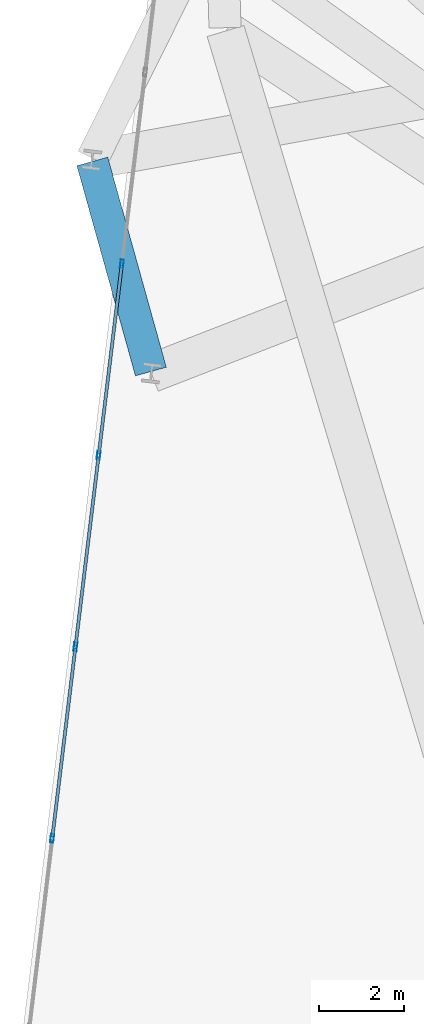
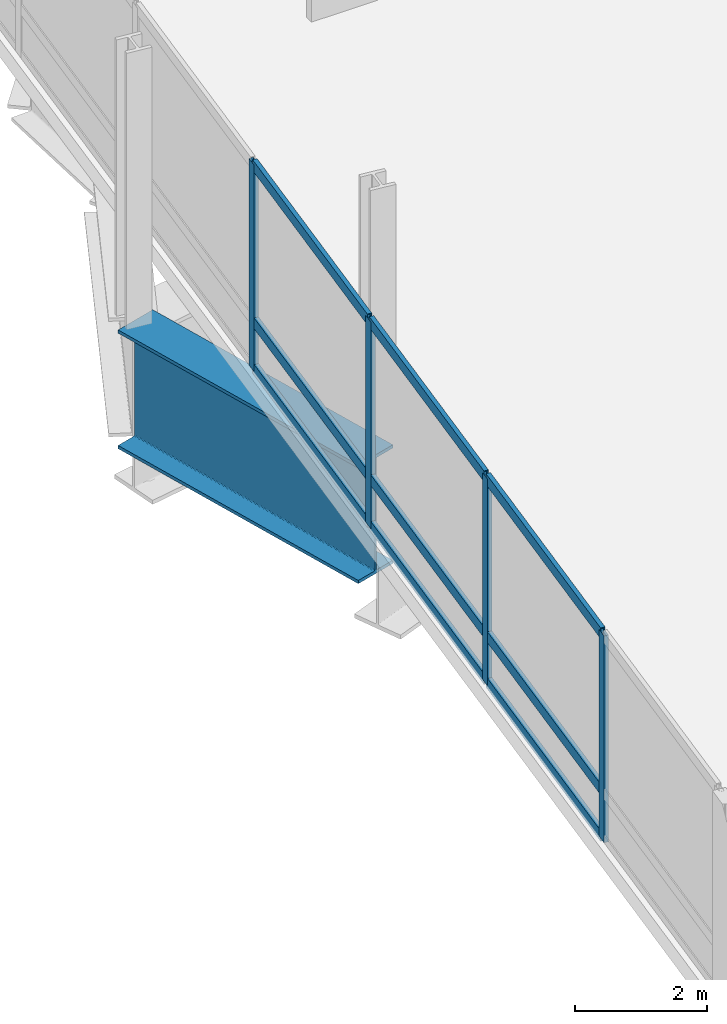
# One storey, part 4 of 22: 13 members, 1 beam, 1 element without a shape of its own.
"""IFC4 building model written with IfcOpenShell, lengths in metres."""

from ifc_helpers import new_model, si_unit, direction, frame, origin, origin_2d, place, context, subcontext, project, spatial, hollow_rectangle, i_section, extrude, material, layer, layer_set, material_profile, profile_set, type_object, element, aggregate, save


model = new_model("IFC4")

# Units and contexts
model_context = context("Model", 3, precision=1e-05, world=origin(), true_north=direction((0.0, 1.0)))
body_context = subcontext(model_context, "Body", "Model", "MODEL_VIEW")
ifc_project = project(units=[si_unit("LENGTHUNIT", "METRE"), si_unit("AREAUNIT", "SQUARE_METRE"), si_unit("VOLUMEUNIT", "CUBIC_METRE"), si_unit("PLANEANGLEUNIT", "RADIAN"), si_unit("MASSUNIT", "GRAM", prefix="KILO")], contexts=[model_context])

# Site, building, storey
site_placement = place(None, origin())
site = spatial("IfcSite", under=ifc_project, at=site_placement, CompositionType="ELEMENT")
building_placement = place(site_placement, origin())
building = spatial("IfcBuilding", under=site, at=building_placement, Name="Varnelok Gate Tower", CompositionType="ELEMENT")
storey_placement = place(building_placement, frame((0.0, 0.0, 116.89990234375)))
storey = spatial("IfcBuildingStorey", under=building, at=storey_placement, Name="L29", CompositionType="ELEMENT", Elevation=116.89990234375)

# Beam
ifc_material_1 = material(Name="Structural Steel ASTM A572 Grade 50", Category="steel")
ifc_material_profile_1 = material_profile(ifc_material_1, i_section(OverallWidth=0.75, OverallDepth=2.199951171875, WebThickness=0.031982421875, FlangeThickness=0.06005859375, FilletRadius=0.028076171875, at=origin_2d()), Name="PG2200X750")
ifc_profile_set_1 = profile_set([ifc_material_profile_1], Name="Structural Steel ASTM A572 Grade 50")
beam_type = type_object("IfcBeamType", Name="BM-TR-PG2200", PredefinedType="BEAM", material=ifc_profile_set_1)
beam_placement = place(storey_placement, frame((3.97509765625, 34.156494140625, -1.419921875), z_axis=(0.268359272172, -0.963318898932, 0.0), x_axis=(0.963318898932, 0.268359272172, 0.0)))
element("IfcBeam", 1, at=beam_placement, inside=storey, type_object=beam_type, Name="L29 Upper Perimeter Transfer Ring 15", PredefinedType="BEAM", context=body_context, shape_type="SweptSolid", body=[
    extrude(i_section(OverallWidth=0.75, OverallDepth=2.199951171875, WebThickness=0.031982421875, FlangeThickness=0.06005859375, FilletRadius=0.028076171875, at=origin_2d()), origin(), (0.0, 0.0, 1.0), 5.103759765625),
])

# Curtain wall, members
ifc_material_2 = material(Name="Anodized Aluminum Alloy 6063-T6", Category="aluminium")
ifc_layer = layer(ifc_material_2, 0.179931640625)
ifc_layer_set = layer_set([ifc_layer], Name="Anodized Aluminum Alloy 6063-T6")
curtain_wall_type = type_object("IfcCurtainWallType", Name="CW2-ATRIUM-GLAZING", PredefinedType="USERDEFINED", material=ifc_layer_set)
curtain_wall_placement = place(storey_placement, origin())
curtain_wall = element("IfcCurtainWall", 2, at=curtain_wall_placement, inside=storey, type_object=curtain_wall_type, Name="L29 West End Vision Curtain Wall", ObjectType="UNITISED CURTAIN WALL", PredefinedType="USERDEFINED")
ifc_material_profile_2 = material_profile(ifc_material_2, hollow_rectangle(XDim=0.074951171875, YDim=0.199951171875, WallThickness=0.00390625, at=origin_2d()), Name="ALU200X75X4")
ifc_profile_set_2 = profile_set([ifc_material_profile_2], Name="Anodized Aluminum Alloy 6063-T6")
member_type_1 = type_object("IfcMemberType", Name="CW-MULL-200", PredefinedType="MULLION", material=ifc_profile_set_2)
member_1_placement = place(storey_placement, frame((3.03662109375, 18.315673828125, 0.0), z_axis=(0.0, 0.0, 1.0), x_axis=(-0.992732166735, 0.120344692987, 0.0)))
member_1 = element("IfcMember", 3, at=member_1_placement, type_object=member_type_1, Name="CW2 mullion 2", PredefinedType="MULLION", context=body_context, shape_type="SweptSolid", body=[
    extrude(hollow_rectangle(XDim=0.074951171875, YDim=0.199951171875, WallThickness=0.00390625, at=origin_2d()), origin(), (0.0, 0.0, 1.0), 3.830078125),
])
member_2_placement = place(storey_placement, frame((3.579833984375, 22.797119140625, 0.0), z_axis=(0.0, 0.0, 1.0), x_axis=(-0.992732166735, 0.120344692987, 0.0)))
member_2 = element("IfcMember", 4, at=member_2_placement, type_object=member_type_1, Name="CW2 mullion 3", PredefinedType="MULLION", context=body_context, shape_type="SweptSolid", body=[
    extrude(hollow_rectangle(XDim=0.074951171875, YDim=0.199951171875, WallThickness=0.00390625, at=origin_2d()), origin(), (0.0, 0.0, 1.0), 3.830078125),
])
member_3_placement = place(storey_placement, frame((4.123291015625, 27.278564453125, 0.0), z_axis=(0.0, 0.0, 1.0), x_axis=(-0.992732166735, 0.120344692987, 0.0)))
member_3 = element("IfcMember", 5, at=member_3_placement, type_object=member_type_1, Name="CW2 mullion 4", PredefinedType="MULLION", context=body_context, shape_type="SweptSolid", body=[
    extrude(hollow_rectangle(XDim=0.074951171875, YDim=0.199951171875, WallThickness=0.00390625, at=origin_2d()), origin(), (0.0, 0.0, 1.0), 3.830078125),
])
member_4_placement = place(storey_placement, frame((4.66650390625, 31.760009765625, 0.0), z_axis=(0.0, 0.0, 1.0), x_axis=(-0.992732166735, 0.120344692987, 0.0)))
member_4 = element("IfcMember", 6, at=member_4_placement, type_object=member_type_1, Name="CW2 mullion 5", PredefinedType="MULLION", context=body_context, shape_type="SweptSolid", body=[
    extrude(hollow_rectangle(XDim=0.074951171875, YDim=0.199951171875, WallThickness=0.00390625, at=origin_2d()), origin(), (0.0, 0.0, 1.0), 3.830078125),
])
ifc_material_profile_3 = material_profile(ifc_material_2, hollow_rectangle(XDim=0.074951171875, YDim=0.199951171875, WallThickness=0.00390625, at=origin_2d()), Name="ALU200X75X4")
ifc_profile_set_3 = profile_set([ifc_material_profile_3], Name="Anodized Aluminum Alloy 6063-T6")
member_type_2 = type_object("IfcMemberType", Name="CW-TRAN-200", PredefinedType="USERDEFINED", material=ifc_profile_set_3)
member_5_placement = place(storey_placement, frame((3.041259765625, 18.352783203125, 0.03759765625), z_axis=(0.120331367519, 0.992733782034, 0.0), x_axis=(-0.992733782034, 0.120331367519, 0.0)))
member_5 = element("IfcMember", 7, at=member_5_placement, type_object=member_type_2, Name="CW2 transom 2.1", ObjectType="TRANSOM", PredefinedType="USERDEFINED", context=body_context, shape_type="SweptSolid", body=[
    extrude(hollow_rectangle(XDim=0.074951171875, YDim=0.199951171875, WallThickness=0.00390625, at=origin_2d()), origin(), (0.0, 0.0, 1.0), 4.439208984375),
])
member_6_placement = place(storey_placement, frame((3.041259765625, 18.352783203125, 0.900146484375), z_axis=(0.120331367519, 0.992733782034, 0.0), x_axis=(-0.992733782034, 0.120331367519, 0.0)))
member_6 = element("IfcMember", 8, at=member_6_placement, type_object=member_type_2, Name="CW2 transom 2.2", ObjectType="TRANSOM", PredefinedType="USERDEFINED", context=body_context, shape_type="SweptSolid", body=[
    extrude(hollow_rectangle(XDim=0.074951171875, YDim=0.199951171875, WallThickness=0.00390625, at=origin_2d()), origin(), (0.0, 0.0, 1.0), 4.439208984375),
])
member_7_placement = place(storey_placement, frame((3.041259765625, 18.352783203125, 3.79248046875), z_axis=(0.120331367519, 0.992733782034, 0.0), x_axis=(-0.992733782034, 0.120331367519, 0.0)))
member_7 = element("IfcMember", 9, at=member_7_placement, type_object=member_type_2, Name="CW2 transom 2.3", ObjectType="TRANSOM", PredefinedType="USERDEFINED", context=body_context, shape_type="SweptSolid", body=[
    extrude(hollow_rectangle(XDim=0.074951171875, YDim=0.199951171875, WallThickness=0.00390625, at=origin_2d()), origin(), (0.0, 0.0, 1.0), 4.439208984375),
])
member_8_placement = place(storey_placement, frame((3.58447265625, 22.834228515625, 0.03759765625), z_axis=(0.120331367519, 0.992733782034, 0.0), x_axis=(-0.992733782034, 0.120331367519, 0.0)))
member_8 = element("IfcMember", 10, at=member_8_placement, type_object=member_type_2, Name="CW2 transom 3.1", ObjectType="TRANSOM", PredefinedType="USERDEFINED", context=body_context, shape_type="SweptSolid", body=[
    extrude(hollow_rectangle(XDim=0.074951171875, YDim=0.199951171875, WallThickness=0.00390625, at=origin_2d()), origin(), (0.0, 0.0, 1.0), 4.439208984375),
])
member_9_placement = place(storey_placement, frame((3.58447265625, 22.834228515625, 0.900146484375), z_axis=(0.120331367519, 0.992733782034, 0.0), x_axis=(-0.992733782034, 0.120331367519, 0.0)))
member_9 = element("IfcMember", 11, at=member_9_placement, type_object=member_type_2, Name="CW2 transom 3.2", ObjectType="TRANSOM", PredefinedType="USERDEFINED", context=body_context, shape_type="SweptSolid", body=[
    extrude(hollow_rectangle(XDim=0.074951171875, YDim=0.199951171875, WallThickness=0.00390625, at=origin_2d()), origin(), (0.0, 0.0, 1.0), 4.439208984375),
])
member_10_placement = place(storey_placement, frame((3.58447265625, 22.834228515625, 3.79248046875), z_axis=(0.120331367519, 0.992733782034, 0.0), x_axis=(-0.992733782034, 0.120331367519, 0.0)))
member_10 = element("IfcMember", 12, at=member_10_placement, type_object=member_type_2, Name="CW2 transom 3.3", ObjectType="TRANSOM", PredefinedType="USERDEFINED", context=body_context, shape_type="SweptSolid", body=[
    extrude(hollow_rectangle(XDim=0.074951171875, YDim=0.199951171875, WallThickness=0.00390625, at=origin_2d()), origin(), (0.0, 0.0, 1.0), 4.439208984375),
])
member_11_placement = place(storey_placement, frame((4.127685546875, 27.315673828125, 0.03759765625), z_axis=(0.120324798211, 0.992734578291, 0.0), x_axis=(-0.992734578291, 0.120324798211, 0.0)))
member_11 = element("IfcMember", 13, at=member_11_placement, type_object=member_type_2, Name="CW2 transom 4.1", ObjectType="TRANSOM", PredefinedType="USERDEFINED", context=body_context, shape_type="SweptSolid", body=[
    extrude(hollow_rectangle(XDim=0.074951171875, YDim=0.199951171875, WallThickness=0.00390625, at=origin_2d()), origin(), (0.0, 0.0, 1.0), 4.439453125),
])
member_12_placement = place(storey_placement, frame((4.127685546875, 27.315673828125, 0.900146484375), z_axis=(0.120324798211, 0.992734578291, 0.0), x_axis=(-0.992734578291, 0.120324798211, 0.0)))
member_12 = element("IfcMember", 14, at=member_12_placement, type_object=member_type_2, Name="CW2 transom 4.2", ObjectType="TRANSOM", PredefinedType="USERDEFINED", context=body_context, shape_type="SweptSolid", body=[
    extrude(hollow_rectangle(XDim=0.074951171875, YDim=0.199951171875, WallThickness=0.00390625, at=origin_2d()), origin(), (0.0, 0.0, 1.0), 4.439453125),
])
member_13_placement = place(storey_placement, frame((4.127685546875, 27.315673828125, 3.79248046875), z_axis=(0.120324798211, 0.992734578291, 0.0), x_axis=(-0.992734578291, 0.120324798211, 0.0)))
member_13 = element("IfcMember", 15, at=member_13_placement, type_object=member_type_2, Name="CW2 transom 4.3", ObjectType="TRANSOM", PredefinedType="USERDEFINED", context=body_context, shape_type="SweptSolid", body=[
    extrude(hollow_rectangle(XDim=0.074951171875, YDim=0.199951171875, WallThickness=0.00390625, at=origin_2d()), origin(), (0.0, 0.0, 1.0), 4.439453125),
])
aggregate(curtain_wall, [member_1, member_2, member_3, member_4, member_5, member_6, member_7, member_8, member_9, member_10, member_11, member_12, member_13])

save(model, "model.ifc")
